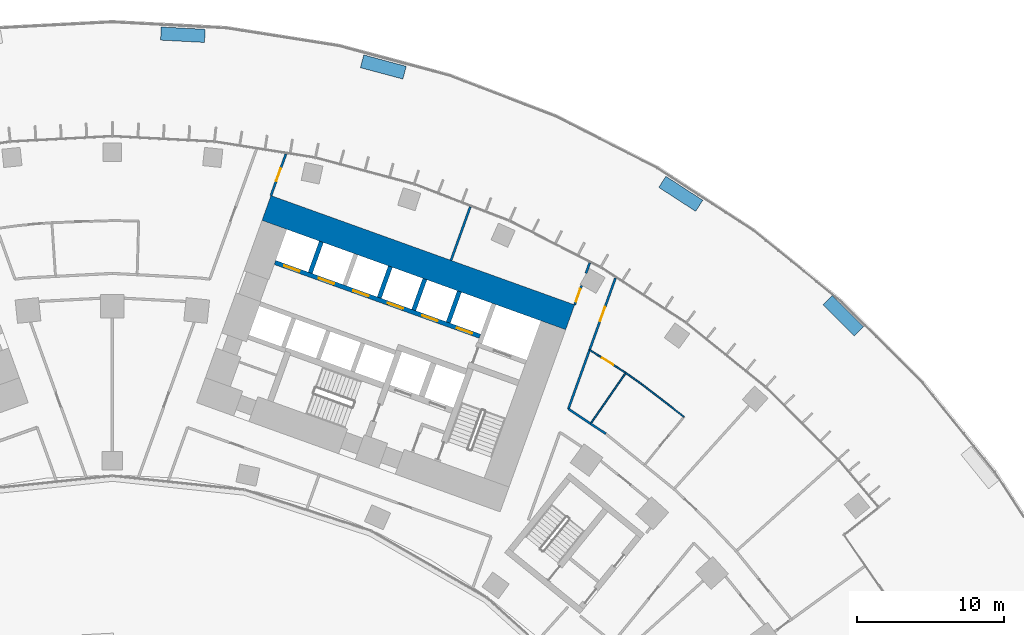
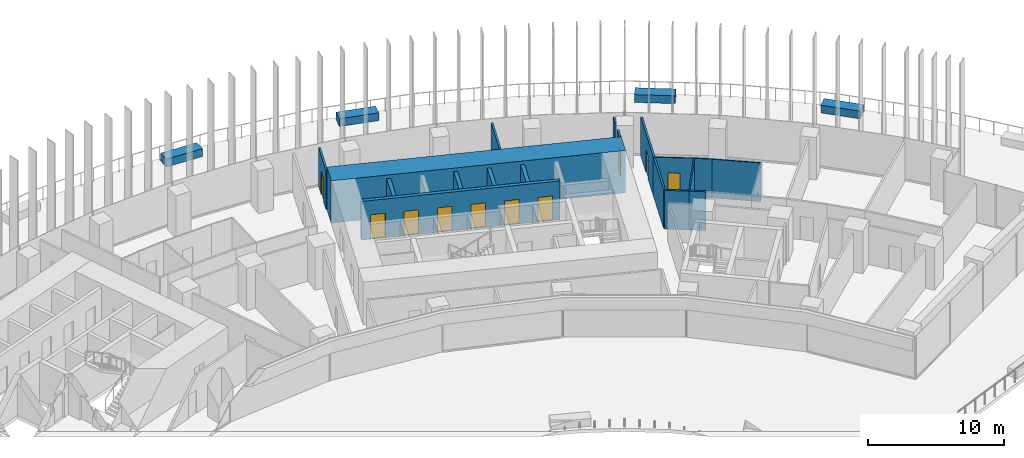
# One storey, part 20 of 24: 22 walls, 10 doors, 10 openings.
"""IFC4 building model written with IfcOpenShell, lengths in metres."""

from ifc_helpers import new_model, si_unit, direction, frame, frame_2d, origin, origin_2d, place, context, subcontext, project, spatial, rectangle, extrude, material, layer, layer_set, type_object, element, fill, save


model = new_model("IFC4")

# Units and contexts
model_context = context("Model", 3, precision=1e-05, world=origin(), true_north=direction((0.0, 1.0)))
body_context = subcontext(model_context, "Body", "Model", "MODEL_VIEW")
ifc_project = project(units=[si_unit("LENGTHUNIT", "METRE"), si_unit("AREAUNIT", "SQUARE_METRE"), si_unit("VOLUMEUNIT", "CUBIC_METRE"), si_unit("PLANEANGLEUNIT", "RADIAN"), si_unit("MASSUNIT", "GRAM", prefix="KILO")], contexts=[model_context])

# Site, building, storey
site_placement = place(None, origin())
site = spatial("IfcSite", under=ifc_project, at=site_placement, CompositionType="ELEMENT")
building_placement = place(site_placement, origin())
building = spatial("IfcBuilding", under=site, at=building_placement, Name="Stone Belt Terrace Tower", CompositionType="ELEMENT")
storey_placement = place(building_placement, frame((0.0, 0.0, 30.0)))
storey = spatial("IfcBuildingStorey", under=building, at=storey_placement, Name="L06", CompositionType="ELEMENT", Elevation=30.0)

# Wall
ifc_material_1 = material(Name="Concrete B80", Category="concrete")
ifc_layer_1 = layer(ifc_material_1, 1.800048828125)
ifc_layer_set_1 = layer_set([ifc_layer_1], Name="Core wall 1800 B80")
wall_type_1 = type_object("IfcWallType", Name="Core wall 1800 B80", PredefinedType="SHEAR", material=ifc_layer_set_1)
wall_1_placement = place(storey_placement, frame((10.509033203125, 61.685546875, 0.0), z_axis=(0.0, 0.0, 1.0), x_axis=(0.940922914687, -0.338620833112, 0.0)))
element("IfcWall", 1, at=wall_1_placement, inside=storey, type_object=wall_type_1, Name="Core B wall convex L06", PredefinedType="SHEAR", context=body_context, shape_type="SweptSolid", body=[
    extrude(rectangle(XDim=22.000244140625, YDim=1.800048828125, at=frame_2d((11.0, 0.0))), origin(), (0.0, 0.0, 1.0), 3.800048828125),
])

# Wall, openings, doors
ifc_layer_2 = layer(ifc_material_1, 0.300048828125)
ifc_layer_set_2 = layer_set([ifc_layer_2], Name="Lift shaft wall 300")
wall_type_2 = type_object("IfcWallType", Name="Lift shaft wall 300", PredefinedType="SHEAR", material=ifc_layer_set_2)
wall_2_placement = place(storey_placement, frame((25.05810546875, 52.9423828125, 0.0), z_axis=(0.0, 0.0, 1.0), x_axis=(-0.940918215764, 0.338633889685, 0.0)))
wall_2 = element("IfcWall", 2, at=wall_2_placement, inside=storey, type_object=wall_type_2, Name="Core B wall", PredefinedType="SHEAR", context=body_context, shape_type="SweptSolid", body=[
    extrude(rectangle(XDim=14.850341796875, YDim=0.300048828125, at=frame_2d((7.42529296875, 0.0))), origin(), (0.0, 0.0, 1.0), 3.47998046875),
])
opening_1_placement = place(wall_2_placement, frame((0.570068359375, 0.0, 0.0)))
opening_1 = element("IfcOpeningElement", 3, at=opening_1_placement, cuts=wall_2, Name="Opening L06-LD10", PredefinedType="OPENING", context=body_context, shape_type="SweptSolid", body=[
    extrude(rectangle(XDim=1.10009765625, YDim=2.199951171875, at=frame_2d((0.550048828125, 1.10009765625))), frame((0.0, 0.159912109375, 0.0), z_axis=(0.0, -1.0, 0.0), x_axis=(1.0, 0.0, 0.0)), (0.0, 0.0, 1.0), 0.320068359375),
])
opening_2_placement = place(wall_2_placement, frame((3.070068359375, 0.0, 0.0)))
opening_2 = element("IfcOpeningElement", 4, at=opening_2_placement, cuts=wall_2, Name="Opening L06-LD11", PredefinedType="OPENING", context=body_context, shape_type="SweptSolid", body=[
    extrude(rectangle(XDim=1.10009765625, YDim=2.199951171875, at=frame_2d((0.550048828125, 1.10009765625))), frame((0.0, 0.159912109375, 0.0), z_axis=(0.0, -1.0, 0.0), x_axis=(1.0, 0.0, 0.0)), (0.0, 0.0, 1.0), 0.320068359375),
])
opening_3_placement = place(wall_2_placement, frame((5.570068359375, 0.0, 0.0)))
opening_3 = element("IfcOpeningElement", 5, at=opening_3_placement, cuts=wall_2, Name="Opening L06-LD12", PredefinedType="OPENING", context=body_context, shape_type="SweptSolid", body=[
    extrude(rectangle(XDim=1.10009765625, YDim=2.199951171875, at=frame_2d((0.550048828125, 1.10009765625))), frame((0.0, 0.159912109375, 0.0), z_axis=(0.0, -1.0, 0.0), x_axis=(1.0, 0.0, 0.0)), (0.0, 0.0, 1.0), 0.320068359375),
])
opening_4_placement = place(wall_2_placement, frame((8.070068359375, 0.0, 0.0)))
opening_4 = element("IfcOpeningElement", 6, at=opening_4_placement, cuts=wall_2, Name="Opening L06-LD13", PredefinedType="OPENING", context=body_context, shape_type="SweptSolid", body=[
    extrude(rectangle(XDim=1.10009765625, YDim=2.199951171875, at=frame_2d((0.550048828125, 1.10009765625))), frame((0.0, 0.159912109375, 0.0), z_axis=(0.0, -1.0, 0.0), x_axis=(1.0, 0.0, 0.0)), (0.0, 0.0, 1.0), 0.320068359375),
])
opening_5_placement = place(wall_2_placement, frame((10.570068359375, 0.0, 0.0)))
opening_5 = element("IfcOpeningElement", 7, at=opening_5_placement, cuts=wall_2, Name="Opening L06-LD14", PredefinedType="OPENING", context=body_context, shape_type="SweptSolid", body=[
    extrude(rectangle(XDim=1.10009765625, YDim=2.199951171875, at=frame_2d((0.550048828125, 1.10009765625))), frame((0.0, 0.159912109375, 0.0), z_axis=(0.0, -1.0, 0.0), x_axis=(1.0, 0.0, 0.0)), (0.0, 0.0, 1.0), 0.320068359375),
])
opening_6_placement = place(wall_2_placement, frame((13.070068359375, 0.0, 0.0)))
opening_6 = element("IfcOpeningElement", 8, at=opening_6_placement, cuts=wall_2, Name="Opening L06-LD15", PredefinedType="OPENING", context=body_context, shape_type="SweptSolid", body=[
    extrude(rectangle(XDim=1.10009765625, YDim=2.199951171875, at=frame_2d((0.550048828125, 1.10009765625))), frame((0.0, 0.159912109375, 0.0), z_axis=(0.0, -1.0, 0.0), x_axis=(1.0, 0.0, 0.0)), (0.0, 0.0, 1.0), 0.320068359375),
])
ifc_material_2 = material(Name="Stainless steel door leaf", Category="steel")
door_type_1 = type_object("IfcDoorType", Name="Landing door 1100", OperationType="SLIDING_TO_LEFT", PredefinedType="DOOR", material=ifc_material_2)
door_1_placement = place(opening_1_placement, origin())
door_1 = element("IfcDoor", 9, at=door_1_placement, inside=storey, type_object=door_type_1, Name="Landing door LR1 core B", OperationType="SLIDING_TO_LEFT", OverallHeight=2.199951171875, OverallWidth=1.10009765625, PredefinedType="DOOR", context=body_context, shape_type="SweptSolid", body=[
    extrude(rectangle(XDim=1.10009765625, YDim=2.199951171875, at=frame_2d((0.550048828125, 1.10009765625))), frame((0.0, 0.02490234375, 0.0), z_axis=(0.0, -1.0, 0.0), x_axis=(1.0, 0.0, 0.0)), (0.0, 0.0, 1.0), 0.050048828125),
])
fill(opening_1, door_1)
door_2_placement = place(opening_2_placement, origin())
door_2 = element("IfcDoor", 10, at=door_2_placement, inside=storey, type_object=door_type_1, Name="Landing door LR2 core B", OperationType="SLIDING_TO_LEFT", OverallHeight=2.199951171875, OverallWidth=1.10009765625, PredefinedType="DOOR", context=body_context, shape_type="SweptSolid", body=[
    extrude(rectangle(XDim=1.10009765625, YDim=2.199951171875, at=frame_2d((0.550048828125, 1.10009765625))), frame((0.0, 0.02490234375, 0.0), z_axis=(0.0, -1.0, 0.0), x_axis=(1.0, 0.0, 0.0)), (0.0, 0.0, 1.0), 0.050048828125),
])
fill(opening_2, door_2)
door_3_placement = place(opening_3_placement, origin())
door_3 = element("IfcDoor", 11, at=door_3_placement, inside=storey, type_object=door_type_1, Name="Landing door LR3 core B", OperationType="SLIDING_TO_LEFT", OverallHeight=2.199951171875, OverallWidth=1.10009765625, PredefinedType="DOOR", context=body_context, shape_type="SweptSolid", body=[
    extrude(rectangle(XDim=1.10009765625, YDim=2.199951171875, at=frame_2d((0.550048828125, 1.10009765625))), frame((0.0, 0.02490234375, 0.0), z_axis=(0.0, -1.0, 0.0), x_axis=(1.0, 0.0, 0.0)), (0.0, 0.0, 1.0), 0.050048828125),
])
fill(opening_3, door_3)
door_4_placement = place(opening_4_placement, origin())
door_4 = element("IfcDoor", 12, at=door_4_placement, inside=storey, type_object=door_type_1, Name="Landing door LR4 core B", OperationType="SLIDING_TO_LEFT", OverallHeight=2.199951171875, OverallWidth=1.10009765625, PredefinedType="DOOR", context=body_context, shape_type="SweptSolid", body=[
    extrude(rectangle(XDim=1.10009765625, YDim=2.199951171875, at=frame_2d((0.550048828125, 1.10009765625))), frame((0.0, 0.02490234375, 0.0), z_axis=(0.0, -1.0, 0.0), x_axis=(1.0, 0.0, 0.0)), (0.0, 0.0, 1.0), 0.050048828125),
])
fill(opening_4, door_4)
door_5_placement = place(opening_5_placement, origin())
door_5 = element("IfcDoor", 13, at=door_5_placement, inside=storey, type_object=door_type_1, Name="Landing door LR5 core B", OperationType="SLIDING_TO_LEFT", OverallHeight=2.199951171875, OverallWidth=1.10009765625, PredefinedType="DOOR", context=body_context, shape_type="SweptSolid", body=[
    extrude(rectangle(XDim=1.10009765625, YDim=2.199951171875, at=frame_2d((0.550048828125, 1.10009765625))), frame((0.0, 0.02490234375, 0.0), z_axis=(0.0, -1.0, 0.0), x_axis=(1.0, 0.0, 0.0)), (0.0, 0.0, 1.0), 0.050048828125),
])
fill(opening_5, door_5)
door_6_placement = place(opening_6_placement, origin())
door_6 = element("IfcDoor", 14, at=door_6_placement, inside=storey, type_object=door_type_1, Name="Landing door LR6 core B", OperationType="SLIDING_TO_LEFT", OverallHeight=2.199951171875, OverallWidth=1.10009765625, PredefinedType="DOOR", context=body_context, shape_type="SweptSolid", body=[
    extrude(rectangle(XDim=1.10009765625, YDim=2.199951171875, at=frame_2d((0.550048828125, 1.10009765625))), frame((0.0, 0.02490234375, 0.0), z_axis=(0.0, -1.0, 0.0), x_axis=(1.0, 0.0, 0.0)), (0.0, 0.0, 1.0), 0.050048828125),
])
fill(opening_6, door_6)

# Walls
wall_3_placement = place(storey_placement, frame((22.897705078125, 53.87939453125, 0.0), z_axis=(0.0, 0.0, 1.0), x_axis=(0.338535034312, 0.940953787677, 0.0)))
element("IfcWall", 15, at=wall_3_placement, inside=storey, type_object=wall_type_2, Name="Core B wall", PredefinedType="SHEAR", context=body_context, shape_type="SweptSolid", body=[
    extrude(rectangle(XDim=2.25, YDim=0.300048828125, at=frame_2d((1.125, 0.0))), origin(), (0.0, 0.0, 1.0), 3.47998046875),
])
wall_4_placement = place(storey_placement, frame((20.54541015625, 54.72607421875, 0.0), z_axis=(0.0, 0.0, 1.0), x_axis=(0.338569601369, 0.940941350472, 0.0)))
element("IfcWall", 16, at=wall_4_placement, inside=storey, type_object=wall_type_2, Name="Core B wall", PredefinedType="SHEAR", context=body_context, shape_type="SweptSolid", body=[
    extrude(rectangle(XDim=2.249755859375, YDim=0.300048828125, at=frame_2d((1.125, 0.0))), origin(), (0.0, 0.0, 1.0), 3.47998046875),
])
wall_5_placement = place(storey_placement, frame((18.193115234375, 55.572509765625, 0.0), z_axis=(0.0, 0.0, 1.0), x_axis=(0.338535034312, 0.940953787677, 0.0)))
element("IfcWall", 17, at=wall_5_placement, inside=storey, type_object=wall_type_2, Name="Core B wall", PredefinedType="SHEAR", context=body_context, shape_type="SweptSolid", body=[
    extrude(rectangle(XDim=2.25, YDim=0.300048828125, at=frame_2d((1.125, 0.0))), origin(), (0.0, 0.0, 1.0), 3.47998046875),
])
wall_6_placement = place(storey_placement, frame((13.48828125, 57.265625, 0.0), z_axis=(0.0, 0.0, 1.0), x_axis=(0.338631098537, 0.940919220286, 0.0)))
element("IfcWall", 18, at=wall_6_placement, inside=storey, type_object=wall_type_2, Name="Core B wall", PredefinedType="SHEAR", context=body_context, shape_type="SweptSolid", body=[
    extrude(rectangle(XDim=2.250244140625, YDim=0.300048828125, at=frame_2d((1.125, 0.0))), origin(), (0.0, 0.0, 1.0), 3.47998046875),
])

# Wall, opening, door
ifc_material_3 = material(Name="Gypsum board partition")
ifc_layer_3 = layer(ifc_material_3, 0.10009765625)
ifc_layer_set_3 = layer_set([ifc_layer_3], Name="PARTITION 100")
wall_type_3 = type_object("IfcWallType", Name="PARTITION 100", PredefinedType="PARTITIONING", material=ifc_layer_set_3)
wall_7_placement = place(storey_placement, frame((35.00390625, 50.443115234375, 0.0), z_axis=(0.0, 0.0, 1.0), x_axis=(-0.843871015594, 0.536546092186, 0.0)))
wall_7 = element("IfcWall", 19, at=wall_7_placement, inside=storey, type_object=wall_type_3, Name="L06/wall/i074", PredefinedType="PARTITIONING", context=body_context, shape_type="SweptSolid", body=[
    extrude(rectangle(XDim=2.92578125, YDim=0.10009765625, at=frame_2d((1.462890625, 0.0))), origin(), (0.0, 0.0, 1.0), 3.47998046875),
])
opening_7_placement = place(wall_7_placement, frame((1.012939453125, 0.0, 0.0)))
opening_7 = element("IfcOpeningElement", 20, at=opening_7_placement, cuts=wall_7, Name="Opening D-A1-22", PredefinedType="OPENING", context=body_context, shape_type="SweptSolid", body=[
    extrude(rectangle(XDim=0.89990234375, YDim=2.10009765625, at=frame_2d((0.449951171875, 1.050048828125))), frame((0.0, 0.06005859375, 0.0), z_axis=(0.0, -1.0, 0.0), x_axis=(1.0, 0.0, 0.0)), (0.0, 0.0, 1.0), 0.1201171875),
])
ifc_material_4 = material(Name="Timber door leaf", Category="wood")
door_type_2 = type_object("IfcDoorType", Name="OFFICE DOOR 900 X 2100", OperationType="NOTDEFINED", PredefinedType="DOOR", material=ifc_material_4)
door_7_placement = place(opening_7_placement, origin())
door_7 = element("IfcDoor", 21, at=door_7_placement, inside=storey, type_object=door_type_2, Name="L06/door/i22", OperationType="SINGLE_SWING_RIGHT", OverallHeight=2.10009765625, OverallWidth=0.89990234375, PredefinedType="DOOR", context=body_context, shape_type="SweptSolid", body=[
    extrude(rectangle(XDim=0.89990234375, YDim=2.10009765625, at=frame_2d((0.449951171875, 1.050048828125))), frame((0.0, 0.02490234375, 0.0), z_axis=(0.0, -1.0, 0.0), x_axis=(1.0, 0.0, 0.0)), (0.0, 0.0, 1.0), 0.050048828125),
])
fill(opening_7, door_7)

# Walls
wall_8_placement = place(storey_placement, frame((38.968017578125, 47.447021484375, 0.0), z_axis=(0.0, 0.0, 1.0), x_axis=(-0.791220068946, 0.61153152208, 0.0)))
element("IfcWall", 22, at=wall_8_placement, inside=storey, type_object=wall_type_3, Name="L06/wall/i076", PredefinedType="PARTITIONING", context=body_context, shape_type="SweptSolid", body=[
    extrude(rectangle(XDim=3.638671875, YDim=0.10009765625, at=frame_2d((1.8193359375, 0.0))), origin(), (0.0, 0.0, 1.0), 3.47998046875),
])
wall_9_placement = place(storey_placement, frame((36.089111328125, 49.672119140625, 0.0), z_axis=(0.0, 0.0, 1.0), x_axis=(-0.815205473907, 0.579171853003, 0.0)))
element("IfcWall", 23, at=wall_9_placement, inside=storey, type_object=wall_type_3, Name="L06/wall/i077", PredefinedType="PARTITIONING", context=body_context, shape_type="SweptSolid", body=[
    extrude(rectangle(XDim=1.331298828125, YDim=0.10009765625, at=frame_2d((0.66552734375, 0.0))), origin(), (0.0, 0.0, 1.0), 3.47998046875),
])
wall_10_placement = place(storey_placement, frame((35.00390625, 50.443115234375, 0.0), z_axis=(0.0, 0.0, 1.0), x_axis=(-0.570116673129, -0.821563740084, 0.0)))
element("IfcWall", 24, at=wall_10_placement, inside=storey, type_object=wall_type_3, Name="L06/wall/i079", PredefinedType="PARTITIONING", context=body_context, shape_type="SweptSolid", body=[
    extrude(rectangle(XDim=4.212890625, YDim=0.10009765625, at=frame_2d((2.1064453125, 0.0))), origin(), (0.0, 0.0, 1.0), 3.47998046875),
])

# Wall, opening, door
ifc_layer_4 = layer(ifc_material_3, 0.14990234375)
ifc_layer_set_4 = layer_set([ifc_layer_4], Name="PARTITION 150 EI 60")
wall_type_4 = type_object("IfcWallType", Name="PARTITION 150 EI 60", PredefinedType="PARTITIONING", material=ifc_layer_set_4)
wall_11_placement = place(storey_placement, frame((11.831787109375, 65.361083984375, 0.0), z_axis=(0.0, 0.0, 1.0), x_axis=(-0.338526810165, -0.940956746508, 0.0)))
wall_11 = element("IfcWall", 25, at=wall_11_placement, inside=storey, type_object=wall_type_4, Name="L06/wall/i019", PredefinedType="PARTITIONING", context=body_context, shape_type="SweptSolid", body=[
    extrude(rectangle(XDim=3.006591796875, YDim=0.14990234375, at=frame_2d((1.50341796875, 0.0))), origin(), (0.0, 0.0, 1.0), 3.47998046875),
])
opening_8_placement = place(wall_11_placement, frame((1.05322265625, 0.0, 0.0)))
opening_8 = element("IfcOpeningElement", 26, at=opening_8_placement, cuts=wall_11, Name="Opening D-A1-07", PredefinedType="OPENING", context=body_context, shape_type="SweptSolid", body=[
    extrude(rectangle(XDim=0.89990234375, YDim=2.10009765625, at=frame_2d((0.449951171875, 1.050048828125))), frame((0.0, 0.0849609375, 0.0), z_axis=(0.0, -1.0, 0.0), x_axis=(1.0, 0.0, 0.0)), (0.0, 0.0, 1.0), 0.169921875),
])
door_8_placement = place(opening_8_placement, origin())
door_8 = element("IfcDoor", 27, at=door_8_placement, inside=storey, type_object=door_type_2, Name="L06/door/i07", OperationType="SINGLE_SWING_RIGHT", OverallHeight=2.10009765625, OverallWidth=0.89990234375, PredefinedType="DOOR", context=body_context, shape_type="SweptSolid", body=[
    extrude(rectangle(XDim=0.89990234375, YDim=2.10009765625, at=frame_2d((0.449951171875, 1.050048828125))), frame((0.0, 0.02490234375, 0.0), z_axis=(0.0, -1.0, 0.0), x_axis=(1.0, 0.0, 0.0)), (0.0, 0.0, 1.0), 0.050048828125),
])
fill(opening_8, door_8)

wall_12_placement = place(storey_placement, frame((31.513916015625, 55.0830078125, 0.0), z_axis=(0.0, 0.0, 1.0), x_axis=(0.338861945182, 0.940836107995, 0.0)))
wall_12 = element("IfcWall", 28, at=wall_12_placement, inside=storey, type_object=wall_type_4, Name="L06/wall/i023", PredefinedType="PARTITIONING", context=body_context, shape_type="SweptSolid", body=[
    extrude(rectangle(XDim=1.3955078125, YDim=0.14990234375, at=frame_2d((0.69775390625, 0.0))), origin(), (0.0, 0.0, 1.0), 3.47998046875),
])
opening_9_placement = place(wall_12_placement, frame((0.247802734375, 0.0, 0.0)))
opening_9 = element("IfcOpeningElement", 29, at=opening_9_placement, cuts=wall_12, Name="Opening D-A1-08", PredefinedType="OPENING", context=body_context, shape_type="SweptSolid", body=[
    extrude(rectangle(XDim=0.89990234375, YDim=2.10009765625, at=frame_2d((0.449951171875, 1.050048828125))), frame((0.0, 0.0849609375, 0.0), z_axis=(0.0, -1.0, 0.0), x_axis=(1.0, 0.0, 0.0)), (0.0, 0.0, 1.0), 0.169921875),
])
door_9_placement = place(opening_9_placement, origin())
door_9 = element("IfcDoor", 30, at=door_9_placement, inside=storey, type_object=door_type_2, Name="L06/door/i08", OperationType="SINGLE_SWING_RIGHT", OverallHeight=2.10009765625, OverallWidth=0.89990234375, PredefinedType="DOOR", context=body_context, shape_type="SweptSolid", body=[
    extrude(rectangle(XDim=0.89990234375, YDim=2.10009765625, at=frame_2d((0.449951171875, 1.050048828125))), frame((0.0, 0.02490234375, 0.0), z_axis=(0.0, -1.0, 0.0), x_axis=(1.0, 0.0, 0.0)), (0.0, 0.0, 1.0), 0.050048828125),
])
fill(opening_9, door_9)

# Wall
wall_13_placement = place(storey_placement, frame((32.290283203125, 57.238525390625, 0.0), z_axis=(0.0, 0.0, 1.0), x_axis=(0.338960201827, 0.940800712998, 0.0)))
element("IfcWall", 31, at=wall_13_placement, inside=storey, type_object=wall_type_4, Name="L06/wall/i024", PredefinedType="PARTITIONING", context=body_context, shape_type="SweptSolid", body=[
    extrude(rectangle(XDim=0.754150390625, YDim=0.14990234375, at=frame_2d((0.376953125, 0.0))), origin(), (0.0, 0.0, 1.0), 3.47998046875),
])

# Wall, opening, door
wall_14_placement = place(storey_placement, frame((34.298095703125, 56.91015625, 0.0), z_axis=(0.0, 0.0, 1.0), x_axis=(-0.338724445236, -0.940885620147, 0.0)))
wall_14 = element("IfcWall", 32, at=wall_14_placement, inside=storey, type_object=wall_type_4, Name="L06/wall/i027", PredefinedType="PARTITIONING", context=body_context, shape_type="SweptSolid", body=[
    extrude(rectangle(XDim=5.211181640625, YDim=0.14990234375, at=frame_2d((2.60546875, 0.0))), origin(), (0.0, 0.0, 1.0), 3.47998046875),
])
opening_10_placement = place(wall_14_placement, frame((2.10546875, 0.0, 0.0)))
opening_10 = element("IfcOpeningElement", 33, at=opening_10_placement, cuts=wall_14, Name="Opening D-A1-21", PredefinedType="OPENING", context=body_context, shape_type="SweptSolid", body=[
    extrude(rectangle(XDim=1.0, YDim=2.10009765625, at=frame_2d((0.5, 1.050048828125))), frame((0.0, 0.0849609375, 0.0), z_axis=(0.0, -1.0, 0.0), x_axis=(1.0, 0.0, 0.0)), (0.0, 0.0, 1.0), 0.169921875),
])
ifc_material_5 = material(Name="Timber fire door leaf", Category="wood")
door_type_3 = type_object("IfcDoorType", Name="TENANCY ENTRANCE DOOR 1000 X 2100", OperationType="NOTDEFINED", PredefinedType="DOOR", material=ifc_material_5)
door_10_placement = place(opening_10_placement, origin())
door_10 = element("IfcDoor", 34, at=door_10_placement, inside=storey, type_object=door_type_3, Name="L06/door/i21", OperationType="SINGLE_SWING_RIGHT", OverallHeight=2.10009765625, OverallWidth=1.0, PredefinedType="DOOR", context=body_context, shape_type="SweptSolid", body=[
    extrude(rectangle(XDim=1.0, YDim=2.10009765625, at=frame_2d((0.5, 1.050048828125))), frame((0.0, 0.02490234375, 0.0), z_axis=(0.0, -1.0, 0.0), x_axis=(1.0, 0.0, 0.0)), (0.0, 0.0, 1.0), 0.050048828125),
])
fill(opening_10, door_10)

# Walls
wall_15_placement = place(storey_placement, frame((32.537109375, 52.01904296875, 0.0), z_axis=(0.0, 0.0, 1.0), x_axis=(-0.338671110555, -0.940904819243, 0.0)))
element("IfcWall", 35, at=wall_15_placement, inside=storey, type_object=wall_type_4, Name="L06/wall/i028", PredefinedType="PARTITIONING", context=body_context, shape_type="SweptSolid", body=[
    extrude(rectangle(XDim=4.290771484375, YDim=0.14990234375, at=frame_2d((2.1455078125, 0.0))), origin(), (0.0, 0.0, 1.0), 3.47998046875),
])
wall_16_placement = place(storey_placement, frame((24.39990234375, 61.76708984375, 0.0), z_axis=(0.0, 0.0, 1.0), x_axis=(-0.338619209116, -0.940923499131, 0.0)))
element("IfcWall", 36, at=wall_16_placement, inside=storey, type_object=wall_type_4, Name="L06/wall/i032", PredefinedType="PARTITIONING", context=body_context, shape_type="SweptSolid", body=[
    extrude(rectangle(XDim=3.88037109375, YDim=0.14990234375, at=frame_2d((1.940185546875, 0.0))), origin(), (0.0, 0.0, 1.0), 3.47998046875),
])
wall_17_placement = place(storey_placement, frame((31.0859375, 47.988037109375, 0.0), z_axis=(0.0, 0.0, 1.0), x_axis=(0.833303417855, -0.552815895023, 0.0)))
element("IfcWall", 37, at=wall_17_placement, inside=storey, type_object=wall_type_4, Name="L06/wall/i062", PredefinedType="PARTITIONING", context=body_context, shape_type="SweptSolid", body=[
    extrude(rectangle(XDim=1.8251953125, YDim=0.14990234375, at=frame_2d((0.91259765625, 0.0))), origin(), (0.0, 0.0, 1.0), 3.47998046875),
])
wall_18_placement = place(storey_placement, frame((32.596923828125, 46.985107421875, 0.0), z_axis=(0.0, 0.0, 1.0), x_axis=(0.833343346871, -0.552755702119, 0.0)))
element("IfcWall", 38, at=wall_18_placement, inside=storey, type_object=wall_type_4, Name="L06/wall/i063", PredefinedType="PARTITIONING", context=body_context, shape_type="SweptSolid", body=[
    extrude(rectangle(XDim=1.246826171875, YDim=0.14990234375, at=frame_2d((0.62353515625, 0.0))), origin(), (0.0, 0.0, 1.0), 3.47998046875),
])
ifc_material_6 = material(Name="Precast concrete C40/50", Category="concrete")
ifc_layer_5 = layer(ifc_material_6, 0.89990234375)
ifc_layer_set_5 = layer_set([ifc_layer_5], Name="Planter box 900 x 700")
wall_type_5 = type_object("IfcWallType", Name="Planter box 900 x 700", PredefinedType="SOLIDWALL", material=ifc_layer_set_5)
for number, where, z_axis, x_axis, name in (
    (39, (49.822021484375, 54.331787109375, 0.0), (0.0, 0.0, 1.0), (-0.707106781187, 0.707106781187, 0.0), "PLANTER L06 3"),
    (40, (38.74951171875, 62.65087890625, 0.0), (0.0, 0.0, 1.0), (-0.838670567945, 0.544639035015, 0.0), "PLANTER L06 4"),
    (41, (18.473388671875, 71.2958984375, 0.0), (0.0, 0.0, 1.0), (-0.965925826289, 0.258819045103, 0.0), "PLANTER L06 1"),
    (42, (4.80908203125, 73.496826171875, 0.0), (0.0, 0.0, 1.0), (-0.998629534755, 0.052335956243, 0.0), "PLANTER L06 2"),
):
    element("IfcWall", number, at=place(storey_placement, frame(where, z_axis=z_axis, x_axis=x_axis)), inside=storey, type_object=wall_type_5, Name=name, PredefinedType="SOLIDWALL", context=body_context, shape_type="SweptSolid", body=[
        extrude(rectangle(XDim=3.0, YDim=0.89990234375, at=origin_2d()), origin(), (0.0, 0.0, 1.0), 0.699951171875),
    ])

save(model, "model.ifc")
